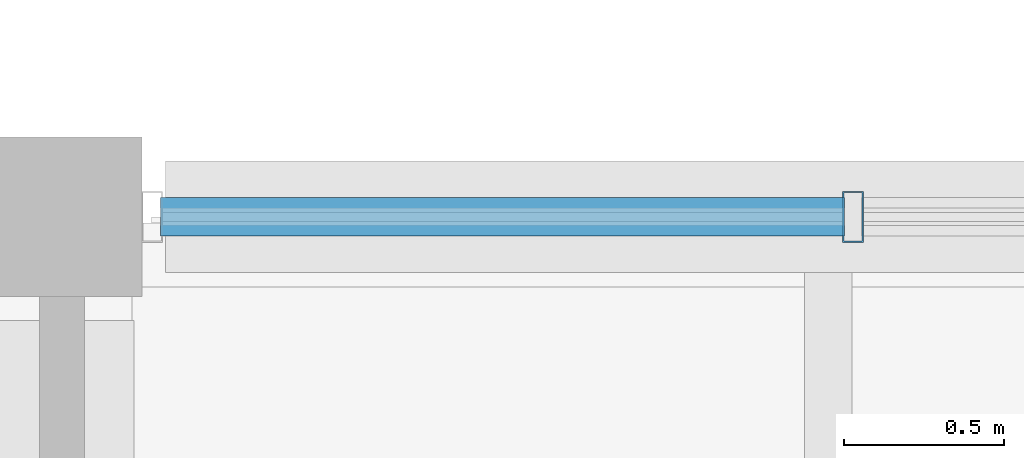
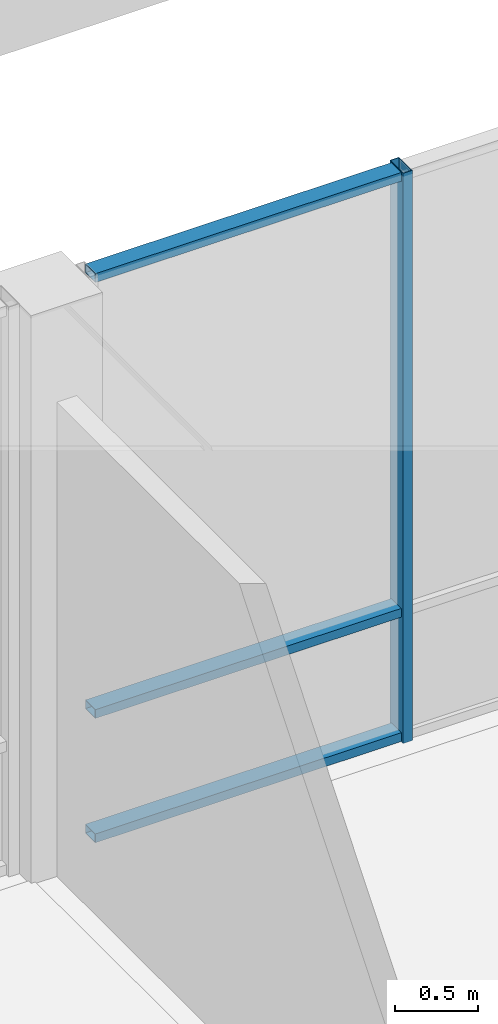
# One storey, part 23 of 104: 4 members, 1 element without a shape of its own.
"""IFC4 building model written with IfcOpenShell, lengths in metres."""

from ifc_helpers import new_model, si_unit, direction, frame, origin, origin_2d, place, context, subcontext, project, spatial, hollow_rectangle, extrude, material, material_profile, profile_set, type_object, element, aggregate, save


model = new_model("IFC4")

# Units and contexts
model_context = context("Model", 3, precision=1e-05, world=origin(), true_north=direction((0.0, 1.0)))
body_context = subcontext(model_context, "Body", "Model", "MODEL_VIEW")
ifc_project = project(units=[si_unit("LENGTHUNIT", "METRE"), si_unit("AREAUNIT", "SQUARE_METRE"), si_unit("VOLUMEUNIT", "CUBIC_METRE"), si_unit("PLANEANGLEUNIT", "RADIAN"), si_unit("MASSUNIT", "GRAM", prefix="KILO")], contexts=[model_context])

# Site, building, storey
site_placement = place(None, origin())
site = spatial("IfcSite", under=ifc_project, at=site_placement, CompositionType="ELEMENT")
building_placement = place(site_placement, origin())
building = spatial("IfcBuilding", under=site, at=building_placement, Name="Hawrajan Terrace Health Centre", CompositionType="ELEMENT")
storey_placement = place(building_placement, origin())
storey = spatial("IfcBuildingStorey", under=building, at=storey_placement, Name="L00", CompositionType="ELEMENT", Elevation=0.0)

# Curtain wall, members
ifc_material_1 = material(Name="Anodized bronze aluminium and low-E solar glazing", Category="aluminium")
curtain_wall_type = type_object("IfcCurtainWallType", Name="CW_Terrace_SeriesK1", PredefinedType="USERDEFINED", material=ifc_material_1)
curtain_wall_placement = place(storey_placement, origin())
curtain_wall = element("IfcCurtainWall", 1, at=curtain_wall_placement, inside=storey, type_object=curtain_wall_type, Name="Curtain wall CW-L00-021", ObjectType="UNITISED CURTAIN WALL", PredefinedType="USERDEFINED")
ifc_material_2 = material(Name="Anodized bronze aluminium 6063-T6", Category="aluminium")
ifc_material_profile_1 = material_profile(ifc_material_2, hollow_rectangle(XDim=0.06494140625, YDim=0.159912109375, WallThickness=0.00390625, at=origin_2d()), Name="CW MUL 65x160")
ifc_profile_set_1 = profile_set([ifc_material_profile_1], Name="Anodized bronze aluminium 6063-T6")
member_type_1 = type_object("IfcMemberType", Name="CWMullion_65x160", PredefinedType="MULLION", material=ifc_profile_set_1)
member_1_placement = place(storey_placement, frame((50.277587890625, 18.60009765625, -0.0048828125), z_axis=(0.0, 0.0, 1.0), x_axis=(1.0, 0.0, 0.0)))
member_1 = element("IfcMember", 2, at=member_1_placement, type_object=member_type_1, Name="Mullion CW-L00-021-M2", PredefinedType="MULLION", context=body_context, shape_type="SweptSolid", body=[
    extrude(hollow_rectangle(XDim=0.06494140625, YDim=0.159912109375, WallThickness=0.00390625, at=origin_2d()), origin(), (0.0, 0.0, 1.0), 4.2099609375),
])
ifc_material_profile_2 = material_profile(ifc_material_2, hollow_rectangle(XDim=0.06494140625, YDim=0.1201171875, WallThickness=0.00341796875, at=origin_2d()), Name="CW TRN 65x120")
ifc_profile_set_2 = profile_set([ifc_material_profile_2], Name="Anodized bronze aluminium 6063-T6")
member_type_2 = type_object("IfcMemberType", Name="CWTransom_65x120", PredefinedType="USERDEFINED", material=ifc_profile_set_2)
member_2_placement = place(storey_placement, frame((48.10888671875, 18.60009765625, 0.032470703125), z_axis=(1.0, 0.0, 0.0), x_axis=(0.0, 0.0, 1.0)))
member_2 = element("IfcMember", 3, at=member_2_placement, type_object=member_type_2, Name="Transom CW-L00-021-T1-1", ObjectType="TRANSOM", PredefinedType="USERDEFINED", context=body_context, shape_type="SweptSolid", body=[
    extrude(hollow_rectangle(XDim=0.06494140625, YDim=0.1201171875, WallThickness=0.00341796875, at=origin_2d()), origin(), (0.0, 0.0, 1.0), 2.14208984375),
])
member_3_placement = place(storey_placement, frame((48.10888671875, 18.60009765625, 0.949951171875), z_axis=(1.0, 0.0, 0.0), x_axis=(0.0, 0.0, 1.0)))
member_3 = element("IfcMember", 4, at=member_3_placement, type_object=member_type_2, Name="Transom CW-L00-021-T1-2", ObjectType="TRANSOM", PredefinedType="USERDEFINED", context=body_context, shape_type="SweptSolid", body=[
    extrude(hollow_rectangle(XDim=0.06494140625, YDim=0.1201171875, WallThickness=0.00341796875, at=origin_2d()), origin(), (0.0, 0.0, 1.0), 2.14208984375),
])
member_4_placement = place(storey_placement, frame((48.10888671875, 18.60009765625, 4.16748046875), z_axis=(1.0, 0.0, 0.0), x_axis=(0.0, 0.0, 1.0)))
member_4 = element("IfcMember", 5, at=member_4_placement, type_object=member_type_2, Name="Transom CW-L00-021-T1-3", ObjectType="TRANSOM", PredefinedType="USERDEFINED", context=body_context, shape_type="SweptSolid", body=[
    extrude(hollow_rectangle(XDim=0.06494140625, YDim=0.1201171875, WallThickness=0.00341796875, at=origin_2d()), origin(), (0.0, 0.0, 1.0), 2.14208984375),
])
aggregate(curtain_wall, [member_1, member_2, member_3, member_4])

save(model, "model.ifc")
